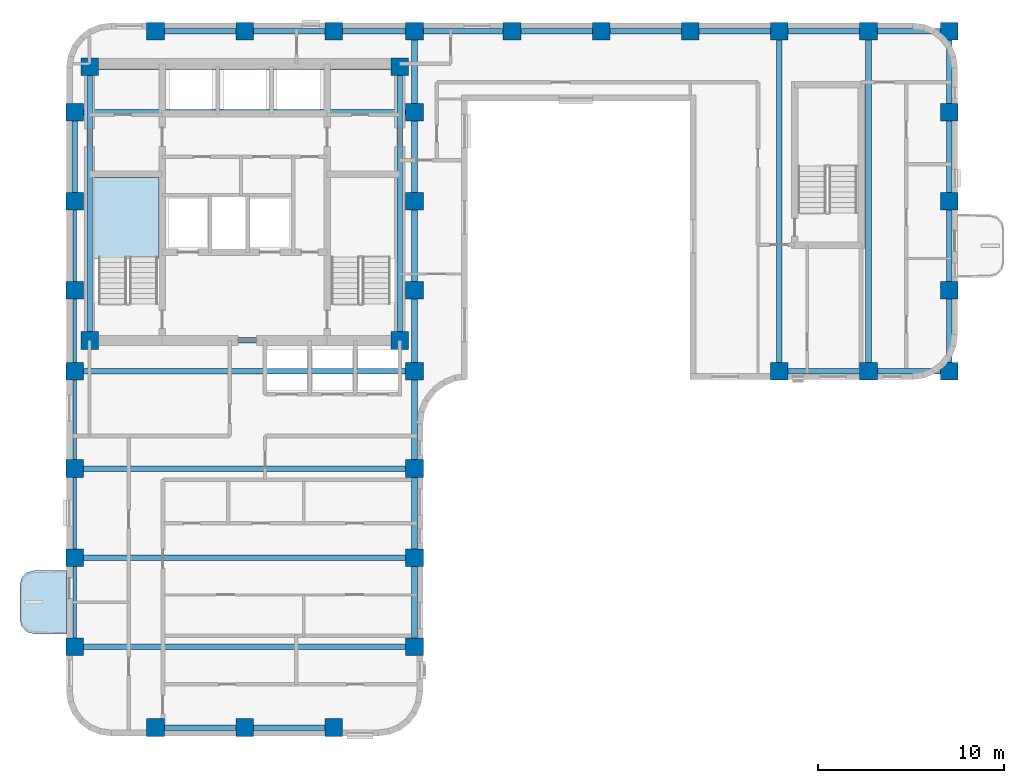
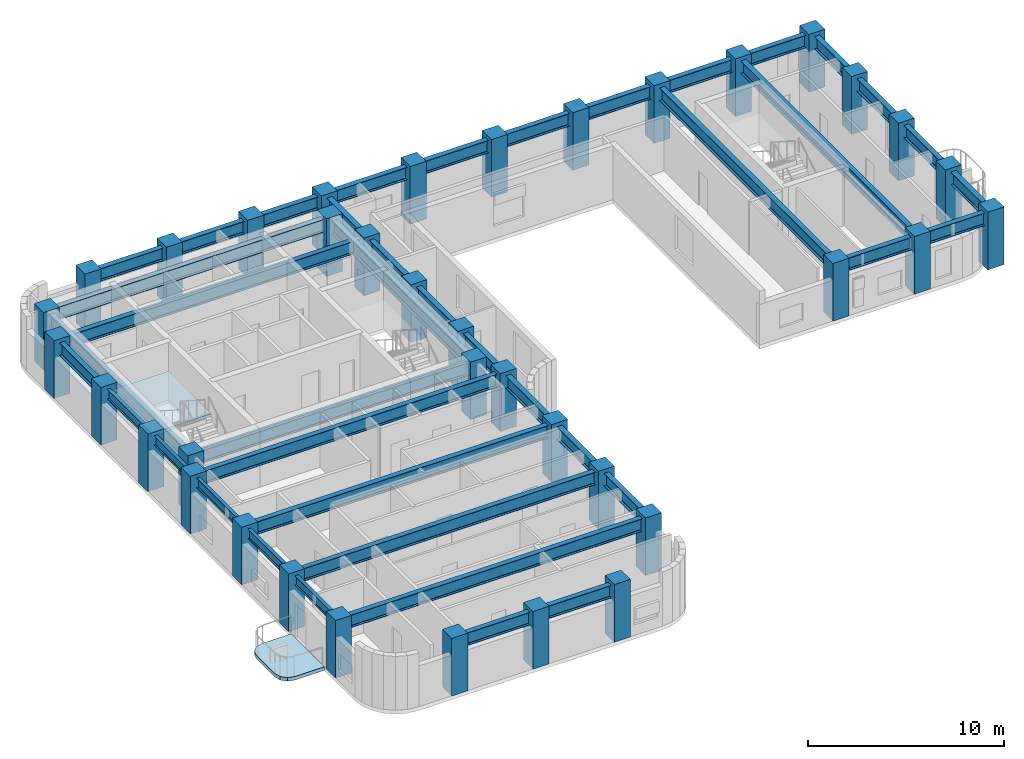
# One storey, part 1 of 9: 41 beams, 37 columns, 2 slabs, 1 element without a shape of its own.
"""IFC4 building model written with IfcOpenShell, lengths in metres."""

import ifcopenshell
import ifcopenshell.guid

model = None  # the IFC model being written
_history = None  # IfcOwnerHistory: only IFC2X3 demands one
_inside = {}  # id of a spatial element -> (the spatial element, [elements in it])
_under = {}  # id of a project, library or spatial element -> (it, [spatial elements below it])
_declared = {}  # id of a project -> (the project, [libraries it declares])
_typed = {}  # id of a type object -> (the type object, [elements of that type])
_made_of = {}  # id of a material, layer set ... -> (it, [elements and type objects made of it])


def new_model(schema):
    """Start an empty IFC model of exactly this schema.

    Asked for "IFC4X3", IfcOpenShell would pick the latest addendum, in which some entities
    have other attributes; the version numbers below select the first issue.
    IFC2X3 requires an IfcOwnerHistory on every rooted entity: one is made here for all.
    """
    global model, _history
    if schema == "IFC4X3":
        model = ifcopenshell.file(schema_version=(4, 3, 0, 0))
    else:
        model = ifcopenshell.file(schema=schema)
    _inside.clear()
    _under.clear()
    _declared.clear()
    _typed.clear()
    _made_of.clear()
    _history = None
    if model.schema == "IFC2X3":
        org = make("IfcOrganization", Name="unknown")
        user = make(
            "IfcPersonAndOrganization",
            ThePerson=make("IfcPerson", FamilyName="unknown"),
            TheOrganization=org,
        )
        app = make(
            "IfcApplication",
            ApplicationDeveloper=org,
            Version="unknown",
            ApplicationFullName="unknown",
            ApplicationIdentifier="unknown",
        )
        _history = make(
            "IfcOwnerHistory",
            OwningUser=user,
            OwningApplication=app,
            ChangeAction="ADDED",
            CreationDate=0,
        )
    return model


def make(cls, **values):
    """One entity of the class cls with the attributes given. An attribute that is None is left unset."""
    return model.create_entity(
        cls, **{name: value for name, value in values.items() if value is not None}
    )


def rooted(cls, **values):
    """An entity with a GlobalId (a new one), such as an element, a storey or a relation."""
    return make(cls, GlobalId=ifcopenshell.guid.new(), OwnerHistory=_history, **values)


def si_unit(unit_type, name, prefix=None):
    """IfcSIUnit, for example si_unit("LENGTHUNIT", "METRE", prefix="MILLI")."""
    return make("IfcSIUnit", UnitType=unit_type, Prefix=prefix, Name=name)


def assignment(units):
    """IfcUnitAssignment: the units of a project."""
    return None if units is None else make("IfcUnitAssignment", Units=units)


def point(xyz):
    """IfcCartesianPoint."""
    return None if xyz is None else make("IfcCartesianPoint", Coordinates=xyz)


def direction(xyz):
    """IfcDirection."""
    return None if xyz is None else make("IfcDirection", DirectionRatios=xyz)


def frame(location, z_axis=None, x_axis=None):
    """IfcAxis2Placement3D, a coordinate frame: its origin and axes. An axis left out is left unset."""
    return make(
        "IfcAxis2Placement3D",
        Location=point(location),
        Axis=direction(z_axis),
        RefDirection=direction(x_axis),
    )


def frame_2d(location, x_axis=None):
    """IfcAxis2Placement2D, a coordinate frame in the plane: its origin and x axis."""
    return make(
        "IfcAxis2Placement2D", Location=point(location), RefDirection=direction(x_axis)
    )


def origin():
    """The frame at (0, 0, 0) with its axes left unset."""
    return frame((0.0, 0.0, 0.0))


def origin_2d():
    """The frame at (0, 0) in the plane with its x axis left unset."""
    return frame_2d((0.0, 0.0))


def place(relative_to, where):
    """IfcLocalPlacement: puts the frame where relative to a parent placement (None: the world)."""
    return make(
        "IfcLocalPlacement", PlacementRelTo=relative_to, RelativePlacement=where
    )


def context(
    kind, dimensions, precision=None, world=None, true_north=None, identifier=None
):
    """IfcGeometricRepresentationContext, for example the 3D "Model" context."""
    return make(
        "IfcGeometricRepresentationContext",
        ContextIdentifier=identifier,
        ContextType=kind,
        CoordinateSpaceDimension=dimensions,
        Precision=precision,
        WorldCoordinateSystem=world,
        TrueNorth=true_north,
    )


def subcontext(parent, identifier, kind, view, scale=None):
    """IfcGeometricRepresentationSubContext, for example "Body" below "Model"."""
    return make(
        "IfcGeometricRepresentationSubContext",
        ContextIdentifier=identifier,
        ContextType=kind,
        ParentContext=parent,
        TargetScale=scale,
        TargetView=view,
    )


def project(units=None, contexts=None):
    """IfcProject with its units and contexts."""
    return rooted(
        "IfcProject",
        Name="project",
        RepresentationContexts=contexts,
        UnitsInContext=assignment(units),
    )


def spatial(cls, under=None, at=None, **own):
    """A site, building, storey or space (cls), placed at a placement, below another one or the project."""
    s = rooted(cls, ObjectPlacement=at, **own)
    if under is not None:
        _under.setdefault(under.id(), (under, []))[1].append(s)
    return s


def polyline(points):
    """IfcPolyline through the points."""
    return make("IfcPolyline", Points=[point(p) for p in points])


def profile(cls, at=None, kind="AREA", **sizes):
    """A parametric profile (cls). Its sizes go by their IFC names, for example OverallWidth=200.0."""
    return make(cls, ProfileType=kind, Position=at, **sizes)


def rectangle(**sizes):
    """IfcRectangleProfileDef."""
    return profile("IfcRectangleProfileDef", **sizes)


def i_section(**sizes):
    """IfcIShapeProfileDef."""
    return profile("IfcIShapeProfileDef", **sizes)


def outline(outer, holes=None, kind="AREA"):
    """IfcArbitraryClosedProfileDef: a profile drawn as a closed curve; with holes, ...WithVoids."""
    if holes is None:
        return make("IfcArbitraryClosedProfileDef", ProfileType=kind, OuterCurve=outer)
    return make(
        "IfcArbitraryProfileDefWithVoids",
        ProfileType=kind,
        OuterCurve=outer,
        InnerCurves=holes,
    )


def extrude(swept, where, along, depth):
    """IfcExtrudedAreaSolid: the profile swept, set in the frame where, extruded along a direction by depth."""
    return make(
        "IfcExtrudedAreaSolid",
        SweptArea=swept,
        Position=where,
        ExtrudedDirection=direction(along),
        Depth=depth,
    )


def shape(context_of_items, identifier, shape_type, items):
    """IfcShapeRepresentation: the items that make up one representation, for example the "Body"."""
    return make(
        "IfcShapeRepresentation",
        ContextOfItems=context_of_items,
        RepresentationIdentifier=identifier,
        RepresentationType=shape_type,
        Items=items,
    )


def material(Name=None, Category=None):
    """IfcMaterial."""
    return make("IfcMaterial", Name=Name, Category=Category)


def layer(
    of_material, thickness, ventilated=None, Name=None, Category=None, Priority=None
):
    """IfcMaterialLayer: one layer of a wall or slab, of a material (None: an air gap)."""
    return make(
        "IfcMaterialLayer",
        Material=of_material,
        LayerThickness=thickness,
        IsVentilated=ventilated,
        Name=Name,
        Category=Category,
        Priority=Priority,
    )


def layer_set(layers, Name=None):
    """IfcMaterialLayerSet."""
    return make("IfcMaterialLayerSet", MaterialLayers=layers, LayerSetName=Name)


def material_profile(
    of_material, cross_section, Name=None, Category=None, Priority=None
):
    """IfcMaterialProfile: a cross section and its material."""
    return make(
        "IfcMaterialProfile",
        Name=Name,
        Material=of_material,
        Profile=cross_section,
        Priority=Priority,
        Category=Category,
    )


def profile_set(profiles, Name=None, composite=None):
    """IfcMaterialProfileSet."""
    return make(
        "IfcMaterialProfileSet",
        Name=Name,
        MaterialProfiles=profiles,
        CompositeProfile=composite,
    )


def made_of(thing, what):
    """Note that an element or type object is made of a material, layer set ...; save() writes the relation."""
    if what is not None:
        _made_of.setdefault(what.id(), (what, []))[1].append(thing)
    return thing


def type_object(cls, material=None, **own):
    """A type object (cls), such as IfcWallType, which elements share."""
    return made_of(rooted(cls, **own), material)


def element(
    cls,
    number,
    at=None,
    inside=None,
    cuts=None,
    type_object=None,
    material=None,
    context=None,
    identifier="Body",
    shape_type=None,
    held_by="IfcProductDefinitionShape",
    body=None,
    shapes=None,
    **own,
):
    """One element of the class cls, such as IfcWall. Its Tag is "e" and its number.

    at: its placement. inside: the storey or other place that contains it. cuts: it is an
    opening in that element (IfcRelVoidsElement). A single representation is given by context,
    identifier, shape_type and body (its items); several are given by shapes. held_by: the class
    of the entity that holds the representations. save() writes the other relations.
    """
    e = rooted(cls, Tag="e%d" % number, ObjectPlacement=at, **own)
    if body is not None:
        shapes = [shape(context, identifier, shape_type, body)]
    if shapes is not None:
        e.Representation = make(held_by, Representations=shapes)
    if inside is not None:
        _inside.setdefault(inside.id(), (inside, []))[1].append(e)
    if cuts is not None:
        rooted(
            "IfcRelVoidsElement", RelatingBuildingElement=cuts, RelatedOpeningElement=e
        )
    if type_object is not None:
        _typed.setdefault(type_object.id(), (type_object, []))[1].append(e)
    return made_of(e, material)


def aggregate(whole, parts):
    """IfcRelAggregates: a whole, such as a stair, and the parts it consists of."""
    return rooted("IfcRelAggregates", RelatingObject=whole, RelatedObjects=parts)


def save(model, path):
    """Write the relations noted so far, then the file.

    IfcRelAggregates (storeys below a building ...), IfcRelContainedInSpatialStructure (elements
    in a storey), IfcRelDefinesByType, IfcRelAssociatesMaterial and IfcRelDeclares: one each for
    every whole, place, type object, material and project.
    """
    for whole, parts in _under.values():
        aggregate(whole, parts)
    for where, things in _inside.values():
        rooted(
            "IfcRelContainedInSpatialStructure",
            RelatedElements=things,
            RelatingStructure=where,
        )
    for kind, things in _typed.values():
        rooted("IfcRelDefinesByType", RelatedObjects=things, RelatingType=kind)
    for what, things in _made_of.values():
        rooted("IfcRelAssociatesMaterial", RelatedObjects=things, RelatingMaterial=what)
    for by, libraries in _declared.values():
        rooted("IfcRelDeclares", RelatingContext=by, RelatedDefinitions=libraries)
    model.write(path)


model = new_model("IFC4")

# Units and contexts
model_context = context("Model", 3, precision=1e-05, world=origin(), true_north=direction((0.0, 1.0)))
body_context = subcontext(model_context, "Body", "Model", "MODEL_VIEW")
ifc_project = project(units=[si_unit("LENGTHUNIT", "METRE"), si_unit("AREAUNIT", "SQUARE_METRE"), si_unit("VOLUMEUNIT", "CUBIC_METRE"), si_unit("PLANEANGLEUNIT", "RADIAN"), si_unit("MASSUNIT", "GRAM", prefix="KILO")], contexts=[model_context])

# Site, building, storey
site_placement = place(None, origin())
site = spatial("IfcSite", under=ifc_project, at=site_placement, CompositionType="ELEMENT")
building_placement = place(site_placement, origin())
building = spatial("IfcBuilding", under=site, at=building_placement, Name="Orvandelia Arch Residences", CompositionType="ELEMENT")
storey_placement = place(building_placement, frame((0.0, 0.0, 186.39990234375)))
storey = spatial("IfcBuildingStorey", under=building, at=storey_placement, Name="L49", CompositionType="ELEMENT", Elevation=186.39990234375)

# Columns
ifc_material_1 = material(Name="Concrete C60/75", Category="concrete")
ifc_material_profile_1 = material_profile(ifc_material_1, rectangle(XDim=0.949951171875, YDim=0.949951171875, at=origin_2d()), Name="Concrete C60/75", Category="concrete")
ifc_profile_set_1 = profile_set([ifc_material_profile_1], Name="Concrete C60/75")
column_type = type_object("IfcColumnType", Name="COL-TWR-950", PredefinedType="COLUMN", material=ifc_profile_set_1)
for number, where, z_axis, x_axis, name in (
    (1, (5.25, 14.39990234375, 0.0), (0.0, 0.0, 1.0), (1.0, 0.0, 0.0), "Structural Column L49-W-W-144"),
    (2, (5.25, 19.199951171875, 0.0), (0.0, 0.0, 1.0), (1.0, 0.0, 0.0), "Structural Column L49-W-W-192"),
    (3, (5.25, 24.0, 0.0), (0.0, 0.0, 1.0), (1.0, 0.0, 0.0), "Structural Column L49-W-W-240"),
    (4, (5.25, 29.25, 0.0), (0.0, 0.0, 1.0), (1.0, 0.0, 0.0), "Structural Column L49-W-W-292"),
    (5, (5.25, 33.60009765625, 0.0), (0.0, 0.0, 1.0), (1.0, 0.0, 0.0), "Structural Column L49-W-W-336"),
    (6, (5.25, 38.39990234375, 0.0), (0.0, 0.0, 1.0), (1.0, 0.0, 0.0), "Structural Column L49-W-W-384"),
    (7, (5.25, 43.199951171875, 0.0), (0.0, 0.0, 1.0), (1.0, 0.0, 0.0), "Structural Column L49-W-W-432"),
    (8, (6.050048828125, 30.89990234375, 0.0), (0.0, 0.0, 1.0), (1.0, 0.0, 0.0), "Structural Column L49-CR-SW"),
    (9, (6.050048828125, 45.64990234375, 0.0), (0.0, 0.0, 1.0), (1.0, 0.0, 0.0), "Structural Column L49-CR-NW"),
    (10, (9.60009765625, 10.050048828125, 0.0), (0.0, 0.0, 1.0), (1.0, 0.0, 0.0), "Structural Column L49-W-S-96"),
    (11, (9.60009765625, 47.550048828125, 0.0), (0.0, 0.0, 1.0), (1.0, 0.0, 0.0), "Structural Column L49-W-N-96"),
    (12, (14.39990234375, 10.050048828125, 0.0), (0.0, 0.0, 1.0), (1.0, 0.0, 0.0), "Structural Column L49-W-S-144"),
    (13, (14.39990234375, 47.550048828125, 0.0), (0.0, 0.0, 1.0), (1.0, 0.0, 0.0), "Structural Column L49-W-N-144"),
    (14, (19.199951171875, 10.050048828125, 0.0), (0.0, 0.0, 1.0), (1.0, 0.0, 0.0), "Structural Column L49-W-S-192"),
    (15, (19.199951171875, 47.550048828125, 0.0), (0.0, 0.0, 1.0), (1.0, 0.0, 0.0), "Structural Column L49-W-N-192"),
    (16, (22.75, 30.89990234375, 0.0), (0.0, 0.0, 1.0), (1.0, 0.0, 0.0), "Structural Column L49-CR-SE"),
    (17, (22.75, 45.64990234375, 0.0), (0.0, 0.0, 1.0), (1.0, 0.0, 0.0), "Structural Column L49-CR-NE"),
    (18, (23.550048828125, 14.39990234375, 0.0), (0.0, 0.0, 1.0), (1.0, 0.0, 0.0), "Structural Column L49-W-E-144"),
    (19, (23.550048828125, 19.199951171875, 0.0), (0.0, 0.0, 1.0), (1.0, 0.0, 0.0), "Structural Column L49-W-E-192"),
    (20, (23.550048828125, 24.0, 0.0), (0.0, 0.0, 1.0), (1.0, 0.0, 0.0), "Structural Column L49-W-E-240"),
    (21, (23.550048828125, 29.25, 0.0), (0.0, 0.0, 1.0), (1.0, 0.0, 0.0), "Structural Column L49-W-E-292"),
    (22, (23.550048828125, 33.60009765625, 0.0), (0.0, 0.0, 1.0), (1.0, 0.0, 0.0), "Structural Column L49-W-E-336"),
    (23, (23.550048828125, 38.39990234375, 0.0), (0.0, 0.0, 1.0), (1.0, 0.0, 0.0), "Structural Column L49-W-E-384"),
    (24, (23.550048828125, 43.199951171875, 0.0), (0.0, 0.0, 1.0), (1.0, 0.0, 0.0), "Structural Column L49-W-E-432"),
    (25, (23.550048828125, 47.550048828125, 0.0), (0.0, 0.0, 1.0), (1.0, 0.0, 0.0), "Structural Column L49-W-N-235"),
    (26, (28.800048828125, 47.550048828125, 0.0), (0.0, 0.0, 1.0), (1.0, 0.0, 0.0), "Structural Column L49-E-N-288"),
    (27, (33.60009765625, 47.550048828125, 0.0), (0.0, 0.0, 1.0), (1.0, 0.0, 0.0), "Structural Column L49-E-N-336"),
    (28, (38.39990234375, 47.550048828125, 0.0), (0.0, 0.0, 1.0), (1.0, 0.0, 0.0), "Structural Column L49-E-N-384"),
    (29, (43.199951171875, 29.25, 0.0), (0.0, 0.0, 1.0), (1.0, 0.0, 0.0), "Structural Column L49-E-S-432"),
    (30, (43.199951171875, 47.550048828125, 0.0), (0.0, 0.0, 1.0), (1.0, 0.0, 0.0), "Structural Column L49-E-N-432"),
    (31, (48.0, 29.25, 0.0), (0.0, 0.0, 1.0), (1.0, 0.0, 0.0), "Structural Column L49-E-S-480"),
    (32, (48.0, 47.550048828125, 0.0), (0.0, 0.0, 1.0), (1.0, 0.0, 0.0), "Structural Column L49-E-N-480"),
    (33, (52.35009765625, 29.25, 0.0), (0.0, 0.0, 1.0), (1.0, 0.0, 0.0), "Structural Column L49-E-S-523"),
    (34, (52.35009765625, 33.60009765625, 0.0), (0.0, 0.0, 1.0), (1.0, 0.0, 0.0), "Structural Column L49-E-523-336"),
    (35, (52.35009765625, 38.39990234375, 0.0), (0.0, 0.0, 1.0), (1.0, 0.0, 0.0), "Structural Column L49-E-523-384"),
    (36, (52.35009765625, 43.199951171875, 0.0), (0.0, 0.0, 1.0), (1.0, 0.0, 0.0), "Structural Column L49-E-523-432"),
    (37, (52.35009765625, 47.550048828125, 0.0), (0.0, 0.0, 1.0), (1.0, 0.0, 0.0), "Structural Column L49-E-N-523"),
):
    element("IfcColumn", number, at=place(storey_placement, frame(where, z_axis=z_axis, x_axis=x_axis)), inside=storey, type_object=column_type, Name=name, PredefinedType="COLUMN", context=body_context, shape_type="SweptSolid", body=[
        extrude(rectangle(XDim=0.949951171875, YDim=0.949951171875, at=origin_2d()), origin(), (0.0, 0.0, 1.0), 3.60009765625),
    ])

# Beams
ifc_material_2 = material(Name="Structural Steel SM355 (355 MPa)", Category="steel")
ifc_material_profile_2 = material_profile(ifc_material_2, i_section(OverallWidth=0.300048828125, OverallDepth=0.800048828125, WebThickness=0.013916015625, FlangeThickness=0.02587890625, FilletRadius=0.02587890625, at=origin_2d()), Name="Structural Steel SM355 (355 MPa)", Category="steel")
ifc_profile_set_2 = profile_set([ifc_material_profile_2], Name="Structural Steel SM355 (355 MPa)")
beam_type_1 = type_object("IfcBeamType", Name="BM-GRD-H800", PredefinedType="BEAM", material=ifc_profile_set_2)
beam_1_placement = place(storey_placement, frame((5.25, 38.39990234375, 2.960205078125), z_axis=(0.0, 1.0, 0.0), x_axis=(-1.0, 0.0, 0.0)))
element("IfcBeam", 38, at=beam_1_placement, inside=storey, type_object=beam_type_1, Name="Structural Frame Beam L49-NS-006", PredefinedType="BEAM", context=body_context, shape_type="SweptSolid", body=[
    extrude(i_section(OverallWidth=0.300048828125, OverallDepth=0.800048828125, WebThickness=0.013916015625, FlangeThickness=0.02587890625, FilletRadius=0.02587890625, at=origin_2d()), origin(), (0.0, 0.0, 1.0), 4.800048828125),
])
for number, where, z_axis, x_axis, name in (
    (39, (6.050048828125, 30.89990234375, 2.960205078125), (0.0, 1.0, 0.0), (-1.0, 0.0, 0.0), "Structural Frame Beam L49-NS-007"),
    (40, (22.75, 30.89990234375, 2.960205078125), (0.0, 1.0, 0.0), (-1.0, 0.0, 0.0), "Structural Frame Beam L49-NS-008"),
):
    element("IfcBeam", number, at=place(storey_placement, frame(where, z_axis=z_axis, x_axis=x_axis)), inside=storey, type_object=beam_type_1, Name=name, PredefinedType="BEAM", context=body_context, shape_type="SweptSolid", body=[
        extrude(i_section(OverallWidth=0.300048828125, OverallDepth=0.800048828125, WebThickness=0.013916015625, FlangeThickness=0.02587890625, FilletRadius=0.02587890625, at=origin_2d()), origin(), (0.0, 0.0, 1.0), 14.75),
    ])
for number, where, z_axis, x_axis, name in (
    (41, (23.550048828125, 14.39990234375, 2.960205078125), (0.0, 1.0, 0.0), (-1.0, 0.0, 0.0), "Structural Frame Beam L49-NS-009"),
    (42, (23.550048828125, 19.199951171875, 2.960205078125), (0.0, 1.0, 0.0), (-1.0, 0.0, 0.0), "Structural Frame Beam L49-NS-010"),
):
    element("IfcBeam", number, at=place(storey_placement, frame(where, z_axis=z_axis, x_axis=x_axis)), inside=storey, type_object=beam_type_1, Name=name, PredefinedType="BEAM", context=body_context, shape_type="SweptSolid", body=[
        extrude(i_section(OverallWidth=0.300048828125, OverallDepth=0.800048828125, WebThickness=0.013916015625, FlangeThickness=0.02587890625, FilletRadius=0.02587890625, at=origin_2d()), origin(), (0.0, 0.0, 1.0), 4.800048828125),
    ])
beam_2_placement = place(storey_placement, frame((23.550048828125, 24.0, 2.960205078125), z_axis=(0.0, 1.0, 0.0), x_axis=(-1.0, 0.0, 0.0)))
element("IfcBeam", 43, at=beam_2_placement, inside=storey, type_object=beam_type_1, Name="Structural Frame Beam L49-NS-011", PredefinedType="BEAM", context=body_context, shape_type="SweptSolid", body=[
    extrude(i_section(OverallWidth=0.300048828125, OverallDepth=0.800048828125, WebThickness=0.013916015625, FlangeThickness=0.02587890625, FilletRadius=0.02587890625, at=origin_2d()), origin(), (0.0, 0.0, 1.0), 5.25),
])
beam_3_placement = place(storey_placement, frame((23.550048828125, 29.25, 2.960205078125), z_axis=(0.0, 1.0, 0.0), x_axis=(-1.0, 0.0, 0.0)))
element("IfcBeam", 44, at=beam_3_placement, inside=storey, type_object=beam_type_1, Name="Structural Frame Beam L49-NS-012", PredefinedType="BEAM", context=body_context, shape_type="SweptSolid", body=[
    extrude(i_section(OverallWidth=0.300048828125, OverallDepth=0.800048828125, WebThickness=0.013916015625, FlangeThickness=0.02587890625, FilletRadius=0.02587890625, at=origin_2d()), origin(), (0.0, 0.0, 1.0), 4.35009765625),
])
beam_4_placement = place(storey_placement, frame((23.550048828125, 33.60009765625, 2.960205078125), z_axis=(0.0, 1.0, 0.0), x_axis=(-1.0, 0.0, 0.0)))
element("IfcBeam", 45, at=beam_4_placement, inside=storey, type_object=beam_type_1, Name="Structural Frame Beam L49-NS-013", PredefinedType="BEAM", context=body_context, shape_type="SweptSolid", body=[
    extrude(i_section(OverallWidth=0.300048828125, OverallDepth=0.800048828125, WebThickness=0.013916015625, FlangeThickness=0.02587890625, FilletRadius=0.02587890625, at=origin_2d()), origin(), (0.0, 0.0, 1.0), 4.7998046875),
])
beam_5_placement = place(storey_placement, frame((23.550048828125, 38.39990234375, 2.960205078125), z_axis=(0.0, 1.0, 0.0), x_axis=(-1.0, 0.0, 0.0)))
element("IfcBeam", 46, at=beam_5_placement, inside=storey, type_object=beam_type_1, Name="Structural Frame Beam L49-NS-014", PredefinedType="BEAM", context=body_context, shape_type="SweptSolid", body=[
    extrude(i_section(OverallWidth=0.300048828125, OverallDepth=0.800048828125, WebThickness=0.013916015625, FlangeThickness=0.02587890625, FilletRadius=0.02587890625, at=origin_2d()), origin(), (0.0, 0.0, 1.0), 4.800048828125),
])
beam_6_placement = place(storey_placement, frame((23.550048828125, 43.199951171875, 2.960205078125), z_axis=(0.0, 1.0, 0.0), x_axis=(-1.0, 0.0, 0.0)))
element("IfcBeam", 47, at=beam_6_placement, inside=storey, type_object=beam_type_1, Name="Structural Frame Beam L49-NS-015", PredefinedType="BEAM", context=body_context, shape_type="SweptSolid", body=[
    extrude(i_section(OverallWidth=0.300048828125, OverallDepth=0.800048828125, WebThickness=0.013916015625, FlangeThickness=0.02587890625, FilletRadius=0.02587890625, at=origin_2d()), origin(), (0.0, 0.0, 1.0), 4.35009765625),
])
for number, where, z_axis, x_axis, name in (
    (48, (43.199951171875, 29.25, 2.960205078125), (0.0, 1.0, 0.0), (-1.0, 0.0, 0.0), "Structural Frame Beam L49-NS-016"),
    (49, (48.0, 29.25, 2.960205078125), (0.0, 1.0, 0.0), (-1.0, 0.0, 0.0), "Structural Frame Beam L49-NS-017"),
):
    element("IfcBeam", number, at=place(storey_placement, frame(where, z_axis=z_axis, x_axis=x_axis)), inside=storey, type_object=beam_type_1, Name=name, PredefinedType="BEAM", context=body_context, shape_type="SweptSolid", body=[
        extrude(i_section(OverallWidth=0.300048828125, OverallDepth=0.800048828125, WebThickness=0.013916015625, FlangeThickness=0.02587890625, FilletRadius=0.02587890625, at=origin_2d()), origin(), (0.0, 0.0, 1.0), 18.300048828125),
    ])
beam_7_placement = place(storey_placement, frame((52.35009765625, 29.25, 2.960205078125), z_axis=(0.0, 1.0, 0.0), x_axis=(-1.0, 0.0, 0.0)))
element("IfcBeam", 50, at=beam_7_placement, inside=storey, type_object=beam_type_1, Name="Structural Frame Beam L49-NS-018", PredefinedType="BEAM", context=body_context, shape_type="SweptSolid", body=[
    extrude(i_section(OverallWidth=0.300048828125, OverallDepth=0.800048828125, WebThickness=0.013916015625, FlangeThickness=0.02587890625, FilletRadius=0.02587890625, at=origin_2d()), origin(), (0.0, 0.0, 1.0), 4.35009765625),
])
beam_8_placement = place(storey_placement, frame((52.35009765625, 33.60009765625, 2.960205078125), z_axis=(0.0, 1.0, 0.0), x_axis=(-1.0, 0.0, 0.0)))
element("IfcBeam", 51, at=beam_8_placement, inside=storey, type_object=beam_type_1, Name="Structural Frame Beam L49-NS-019", PredefinedType="BEAM", context=body_context, shape_type="SweptSolid", body=[
    extrude(i_section(OverallWidth=0.300048828125, OverallDepth=0.800048828125, WebThickness=0.013916015625, FlangeThickness=0.02587890625, FilletRadius=0.02587890625, at=origin_2d()), origin(), (0.0, 0.0, 1.0), 4.7998046875),
])
beam_9_placement = place(storey_placement, frame((52.35009765625, 38.39990234375, 2.960205078125), z_axis=(0.0, 1.0, 0.0), x_axis=(-1.0, 0.0, 0.0)))
element("IfcBeam", 52, at=beam_9_placement, inside=storey, type_object=beam_type_1, Name="Structural Frame Beam L49-NS-020", PredefinedType="BEAM", context=body_context, shape_type="SweptSolid", body=[
    extrude(i_section(OverallWidth=0.300048828125, OverallDepth=0.800048828125, WebThickness=0.013916015625, FlangeThickness=0.02587890625, FilletRadius=0.02587890625, at=origin_2d()), origin(), (0.0, 0.0, 1.0), 4.800048828125),
])
beam_10_placement = place(storey_placement, frame((52.35009765625, 43.199951171875, 2.960205078125), z_axis=(0.0, 1.0, 0.0), x_axis=(-1.0, 0.0, 0.0)))
element("IfcBeam", 53, at=beam_10_placement, inside=storey, type_object=beam_type_1, Name="Structural Frame Beam L49-NS-021", PredefinedType="BEAM", context=body_context, shape_type="SweptSolid", body=[
    extrude(i_section(OverallWidth=0.300048828125, OverallDepth=0.800048828125, WebThickness=0.013916015625, FlangeThickness=0.02587890625, FilletRadius=0.02587890625, at=origin_2d()), origin(), (0.0, 0.0, 1.0), 4.35009765625),
])
beam_11_placement = place(storey_placement, frame((9.60009765625, 10.050048828125, 2.960205078125), z_axis=(1.0, 0.0, 0.0), x_axis=(0.0, 1.0, 0.0)))
element("IfcBeam", 54, at=beam_11_placement, inside=storey, type_object=beam_type_1, Name="Structural Frame Girder L49-EW-022", PredefinedType="BEAM", context=body_context, shape_type="SweptSolid", body=[
    extrude(i_section(OverallWidth=0.300048828125, OverallDepth=0.800048828125, WebThickness=0.013916015625, FlangeThickness=0.02587890625, FilletRadius=0.02587890625, at=origin_2d()), origin(), (0.0, 0.0, 1.0), 4.7998046875),
])
beam_12_placement = place(storey_placement, frame((14.39990234375, 10.050048828125, 2.960205078125), z_axis=(1.0, 0.0, 0.0), x_axis=(0.0, 1.0, 0.0)))
element("IfcBeam", 55, at=beam_12_placement, inside=storey, type_object=beam_type_1, Name="Structural Frame Girder L49-EW-023", PredefinedType="BEAM", context=body_context, shape_type="SweptSolid", body=[
    extrude(i_section(OverallWidth=0.300048828125, OverallDepth=0.800048828125, WebThickness=0.013916015625, FlangeThickness=0.02587890625, FilletRadius=0.02587890625, at=origin_2d()), origin(), (0.0, 0.0, 1.0), 4.800048828125),
])
for number, where, z_axis, x_axis, name in (
    (56, (5.25, 14.39990234375, 2.960205078125), (1.0, 0.0, 0.0), (0.0, 1.0, 0.0), "Structural Frame Girder L49-EW-024"),
    (57, (5.25, 19.199951171875, 2.960205078125), (1.0, 0.0, 0.0), (0.0, 1.0, 0.0), "Structural Frame Girder L49-EW-025"),
    (58, (5.25, 24.0, 2.960205078125), (1.0, 0.0, 0.0), (0.0, 1.0, 0.0), "Structural Frame Girder L49-EW-026"),
    (59, (5.25, 29.25, 2.960205078125), (1.0, 0.0, 0.0), (0.0, 1.0, 0.0), "Structural Frame Girder L49-EW-027"),
):
    element("IfcBeam", number, at=place(storey_placement, frame(where, z_axis=z_axis, x_axis=x_axis)), inside=storey, type_object=beam_type_1, Name=name, PredefinedType="BEAM", context=body_context, shape_type="SweptSolid", body=[
        extrude(i_section(OverallWidth=0.300048828125, OverallDepth=0.800048828125, WebThickness=0.013916015625, FlangeThickness=0.02587890625, FilletRadius=0.02587890625, at=origin_2d()), origin(), (0.0, 0.0, 1.0), 18.300048828125),
    ])
beam_13_placement = place(storey_placement, frame((43.199951171875, 29.25, 2.960205078125), z_axis=(1.0, 0.0, 0.0), x_axis=(0.0, 1.0, 0.0)))
element("IfcBeam", 60, at=beam_13_placement, inside=storey, type_object=beam_type_1, Name="Structural Frame Girder L49-EW-028", PredefinedType="BEAM", context=body_context, shape_type="SweptSolid", body=[
    extrude(i_section(OverallWidth=0.300048828125, OverallDepth=0.800048828125, WebThickness=0.013916015625, FlangeThickness=0.02587890625, FilletRadius=0.02587890625, at=origin_2d()), origin(), (0.0, 0.0, 1.0), 4.800048828125),
])
beam_14_placement = place(storey_placement, frame((48.0, 29.25, 2.960205078125), z_axis=(1.0, 0.0, 0.0), x_axis=(0.0, 1.0, 0.0)))
element("IfcBeam", 61, at=beam_14_placement, inside=storey, type_object=beam_type_1, Name="Structural Frame Girder L49-EW-029", PredefinedType="BEAM", context=body_context, shape_type="SweptSolid", body=[
    extrude(i_section(OverallWidth=0.300048828125, OverallDepth=0.800048828125, WebThickness=0.013916015625, FlangeThickness=0.02587890625, FilletRadius=0.02587890625, at=origin_2d()), origin(), (0.0, 0.0, 1.0), 4.35009765625),
])
beam_15_placement = place(storey_placement, frame((6.050048828125, 30.89990234375, 2.960205078125), z_axis=(1.0, 0.0, 0.0), x_axis=(0.0, 1.0, 0.0)))
element("IfcBeam", 62, at=beam_15_placement, inside=storey, type_object=beam_type_1, Name="Structural Frame Girder L49-EW-030", PredefinedType="BEAM", context=body_context, shape_type="SweptSolid", body=[
    extrude(i_section(OverallWidth=0.300048828125, OverallDepth=0.800048828125, WebThickness=0.013916015625, FlangeThickness=0.02587890625, FilletRadius=0.02587890625, at=origin_2d()), origin(), (0.0, 0.0, 1.0), 16.699951171875),
])
beam_16_placement = place(storey_placement, frame((5.25, 43.199951171875, 2.960205078125), z_axis=(1.0, 0.0, 0.0), x_axis=(0.0, 1.0, 0.0)))
element("IfcBeam", 63, at=beam_16_placement, inside=storey, type_object=beam_type_1, Name="Structural Frame Girder L49-EW-033", PredefinedType="BEAM", context=body_context, shape_type="SweptSolid", body=[
    extrude(i_section(OverallWidth=0.300048828125, OverallDepth=0.800048828125, WebThickness=0.013916015625, FlangeThickness=0.02587890625, FilletRadius=0.02587890625, at=origin_2d()), origin(), (0.0, 0.0, 1.0), 18.300048828125),
])
beam_17_placement = place(storey_placement, frame((6.050048828125, 45.64990234375, 2.960205078125), z_axis=(1.0, 0.0, 0.0), x_axis=(0.0, 1.0, 0.0)))
element("IfcBeam", 64, at=beam_17_placement, inside=storey, type_object=beam_type_1, Name="Structural Frame Girder L49-EW-034", PredefinedType="BEAM", context=body_context, shape_type="SweptSolid", body=[
    extrude(i_section(OverallWidth=0.300048828125, OverallDepth=0.800048828125, WebThickness=0.013916015625, FlangeThickness=0.02587890625, FilletRadius=0.02587890625, at=origin_2d()), origin(), (0.0, 0.0, 1.0), 16.699951171875),
])
beam_18_placement = place(storey_placement, frame((9.60009765625, 47.550048828125, 2.960205078125), z_axis=(1.0, 0.0, 0.0), x_axis=(0.0, 1.0, 0.0)))
element("IfcBeam", 65, at=beam_18_placement, inside=storey, type_object=beam_type_1, Name="Structural Frame Girder L49-EW-035", PredefinedType="BEAM", context=body_context, shape_type="SweptSolid", body=[
    extrude(i_section(OverallWidth=0.300048828125, OverallDepth=0.800048828125, WebThickness=0.013916015625, FlangeThickness=0.02587890625, FilletRadius=0.02587890625, at=origin_2d()), origin(), (0.0, 0.0, 1.0), 4.7998046875),
])
beam_19_placement = place(storey_placement, frame((14.39990234375, 47.550048828125, 2.960205078125), z_axis=(1.0, 0.0, 0.0), x_axis=(0.0, 1.0, 0.0)))
element("IfcBeam", 66, at=beam_19_placement, inside=storey, type_object=beam_type_1, Name="Structural Frame Girder L49-EW-036", PredefinedType="BEAM", context=body_context, shape_type="SweptSolid", body=[
    extrude(i_section(OverallWidth=0.300048828125, OverallDepth=0.800048828125, WebThickness=0.013916015625, FlangeThickness=0.02587890625, FilletRadius=0.02587890625, at=origin_2d()), origin(), (0.0, 0.0, 1.0), 4.800048828125),
])
beam_20_placement = place(storey_placement, frame((19.199951171875, 47.550048828125, 2.960205078125), z_axis=(1.0, 0.0, 0.0), x_axis=(0.0, 1.0, 0.0)))
element("IfcBeam", 67, at=beam_20_placement, inside=storey, type_object=beam_type_1, Name="Structural Frame Girder L49-EW-037", PredefinedType="BEAM", context=body_context, shape_type="SweptSolid", body=[
    extrude(i_section(OverallWidth=0.300048828125, OverallDepth=0.800048828125, WebThickness=0.013916015625, FlangeThickness=0.02587890625, FilletRadius=0.02587890625, at=origin_2d()), origin(), (0.0, 0.0, 1.0), 4.35009765625),
])
beam_21_placement = place(storey_placement, frame((23.550048828125, 47.550048828125, 2.960205078125), z_axis=(1.0, 0.0, 0.0), x_axis=(0.0, 1.0, 0.0)))
element("IfcBeam", 68, at=beam_21_placement, inside=storey, type_object=beam_type_1, Name="Structural Frame Girder L49-EW-038", PredefinedType="BEAM", context=body_context, shape_type="SweptSolid", body=[
    extrude(i_section(OverallWidth=0.300048828125, OverallDepth=0.800048828125, WebThickness=0.013916015625, FlangeThickness=0.02587890625, FilletRadius=0.02587890625, at=origin_2d()), origin(), (0.0, 0.0, 1.0), 5.25),
])
beam_22_placement = place(storey_placement, frame((28.800048828125, 47.550048828125, 2.960205078125), z_axis=(1.0, 0.0, 0.0), x_axis=(0.0, 1.0, 0.0)))
element("IfcBeam", 69, at=beam_22_placement, inside=storey, type_object=beam_type_1, Name="Structural Frame Girder L49-EW-039", PredefinedType="BEAM", context=body_context, shape_type="SweptSolid", body=[
    extrude(i_section(OverallWidth=0.300048828125, OverallDepth=0.800048828125, WebThickness=0.013916015625, FlangeThickness=0.02587890625, FilletRadius=0.02587890625, at=origin_2d()), origin(), (0.0, 0.0, 1.0), 4.800048828125),
])
beam_23_placement = place(storey_placement, frame((33.60009765625, 47.550048828125, 2.960205078125), z_axis=(1.0, 0.0, 0.0), x_axis=(0.0, 1.0, 0.0)))
element("IfcBeam", 70, at=beam_23_placement, inside=storey, type_object=beam_type_1, Name="Structural Frame Girder L49-EW-040", PredefinedType="BEAM", context=body_context, shape_type="SweptSolid", body=[
    extrude(i_section(OverallWidth=0.300048828125, OverallDepth=0.800048828125, WebThickness=0.013916015625, FlangeThickness=0.02587890625, FilletRadius=0.02587890625, at=origin_2d()), origin(), (0.0, 0.0, 1.0), 4.7998046875),
])
for number, where, z_axis, x_axis, name in (
    (71, (38.39990234375, 47.550048828125, 2.960205078125), (1.0, 0.0, 0.0), (0.0, 1.0, 0.0), "Structural Frame Girder L49-EW-041"),
    (72, (43.199951171875, 47.550048828125, 2.960205078125), (1.0, 0.0, 0.0), (0.0, 1.0, 0.0), "Structural Frame Girder L49-EW-042"),
):
    element("IfcBeam", number, at=place(storey_placement, frame(where, z_axis=z_axis, x_axis=x_axis)), inside=storey, type_object=beam_type_1, Name=name, PredefinedType="BEAM", context=body_context, shape_type="SweptSolid", body=[
        extrude(i_section(OverallWidth=0.300048828125, OverallDepth=0.800048828125, WebThickness=0.013916015625, FlangeThickness=0.02587890625, FilletRadius=0.02587890625, at=origin_2d()), origin(), (0.0, 0.0, 1.0), 4.800048828125),
    ])
beam_24_placement = place(storey_placement, frame((48.0, 47.550048828125, 2.960205078125), z_axis=(1.0, 0.0, 0.0), x_axis=(0.0, 1.0, 0.0)))
element("IfcBeam", 73, at=beam_24_placement, inside=storey, type_object=beam_type_1, Name="Structural Frame Girder L49-EW-043", PredefinedType="BEAM", context=body_context, shape_type="SweptSolid", body=[
    extrude(i_section(OverallWidth=0.300048828125, OverallDepth=0.800048828125, WebThickness=0.013916015625, FlangeThickness=0.02587890625, FilletRadius=0.02587890625, at=origin_2d()), origin(), (0.0, 0.0, 1.0), 4.35009765625),
])
ifc_material_profile_3 = material_profile(ifc_material_2, i_section(OverallWidth=0.199951171875, OverallDepth=0.60009765625, WebThickness=0.010986328125, FlangeThickness=0.01708984375, FilletRadius=0.02197265625, at=origin_2d()), Name="Structural Steel SM355 (355 MPa)", Category="steel")
ifc_profile_set_3 = profile_set([ifc_material_profile_3], Name="Structural Steel SM355 (355 MPa)")
beam_type_2 = type_object("IfcBeamType", Name="BM-SPN-H600", PredefinedType="SPANDREL", material=ifc_profile_set_3)
for number, where, z_axis, x_axis, name in (
    (74, (5.25, 14.39990234375, 3.06005859375), (0.0, 1.0, 0.0), (-1.0, 0.0, 0.0), "Structural Frame Beam L49-NS-001"),
    (75, (5.25, 19.199951171875, 3.06005859375), (0.0, 1.0, 0.0), (-1.0, 0.0, 0.0), "Structural Frame Beam L49-NS-002"),
):
    element("IfcBeam", number, at=place(storey_placement, frame(where, z_axis=z_axis, x_axis=x_axis)), inside=storey, type_object=beam_type_2, Name=name, PredefinedType="SPANDREL", context=body_context, shape_type="SweptSolid", body=[
        extrude(i_section(OverallWidth=0.199951171875, OverallDepth=0.60009765625, WebThickness=0.010986328125, FlangeThickness=0.01708984375, FilletRadius=0.02197265625, at=origin_2d()), origin(), (0.0, 0.0, 1.0), 4.800048828125),
    ])
beam_25_placement = place(storey_placement, frame((5.25, 24.0, 3.06005859375), z_axis=(0.0, 1.0, 0.0), x_axis=(-1.0, 0.0, 0.0)))
element("IfcBeam", 76, at=beam_25_placement, inside=storey, type_object=beam_type_2, Name="Structural Frame Beam L49-NS-003", PredefinedType="SPANDREL", context=body_context, shape_type="SweptSolid", body=[
    extrude(i_section(OverallWidth=0.199951171875, OverallDepth=0.60009765625, WebThickness=0.010986328125, FlangeThickness=0.01708984375, FilletRadius=0.02197265625, at=origin_2d()), origin(), (0.0, 0.0, 1.0), 5.25),
])
beam_26_placement = place(storey_placement, frame((5.25, 29.25, 3.06005859375), z_axis=(0.0, 1.0, 0.0), x_axis=(-1.0, 0.0, 0.0)))
element("IfcBeam", 77, at=beam_26_placement, inside=storey, type_object=beam_type_2, Name="Structural Frame Beam L49-NS-004", PredefinedType="SPANDREL", context=body_context, shape_type="SweptSolid", body=[
    extrude(i_section(OverallWidth=0.199951171875, OverallDepth=0.60009765625, WebThickness=0.010986328125, FlangeThickness=0.01708984375, FilletRadius=0.02197265625, at=origin_2d()), origin(), (0.0, 0.0, 1.0), 4.35009765625),
])
beam_27_placement = place(storey_placement, frame((5.25, 33.60009765625, 3.06005859375), z_axis=(0.0, 1.0, 0.0), x_axis=(-1.0, 0.0, 0.0)))
element("IfcBeam", 78, at=beam_27_placement, inside=storey, type_object=beam_type_2, Name="Structural Frame Beam L49-NS-005", PredefinedType="SPANDREL", context=body_context, shape_type="SweptSolid", body=[
    extrude(i_section(OverallWidth=0.199951171875, OverallDepth=0.60009765625, WebThickness=0.010986328125, FlangeThickness=0.01708984375, FilletRadius=0.02197265625, at=origin_2d()), origin(), (0.0, 0.0, 1.0), 4.7998046875),
])

# Slab
ifc_material_3 = material(Name="Precast concrete C40/50", Category="concrete")
ifc_layer_1 = layer(ifc_material_3, 0.219970703125, Name="Precast concrete C40/50", Category="concrete")
ifc_layer_set_1 = layer_set([ifc_layer_1], Name="Precast concrete C40/50")
slab_type_1 = type_object("IfcSlabType", Name="SLB-BAL-220", PredefinedType="USERDEFINED", material=ifc_layer_set_1)
slab_1_placement = place(storey_placement, frame((0.0, 0.0, -0.219970703125)))
element("IfcSlab", 79, at=slab_1_placement, inside=storey, type_object=slab_type_1, Name="Tree Balcony Cantilever Slab BAL-L49-W1", ObjectType="BALCONY", PredefinedType="USERDEFINED", context=body_context, shape_type="SweptSolid", body=[
    extrude(outline(polyline([(4.800048828125, 15.10009765625), (4.800048828125, 18.5), (3.050048828125, 18.5), (2.675048828125, 18.3994140625), (2.400390625, 18.125), (2.300048828125, 17.75), (2.300048828125, 15.85009765625), (2.400390625, 15.47509765625), (2.675048828125, 15.200439453125), (3.050048828125, 15.10009765625), (4.800048828125, 15.10009765625)])), origin(), (0.0, 0.0, 1.0), 0.219970703125),
])

# Stair, slab
ifc_material_4 = material(Name="Concrete C40/50", Category="concrete")
stair_type = type_object("IfcStairType", Name="STAIR-RC-DOGLEG", PredefinedType="HALF_TURN_STAIR", material=ifc_material_4)
stair_placement = place(storey_placement, origin())
stair = element("IfcStair", 80, at=stair_placement, inside=storey, type_object=stair_type, Name="L49 Protected Exit Stair ST-1", PredefinedType="HALF_TURN_STAIR")
ifc_layer_2 = layer(ifc_material_4, 0.219970703125, Name="Concrete C40/50", Category="concrete")
ifc_layer_set_2 = layer_set([ifc_layer_2], Name="Concrete C40/50")
slab_type_2 = type_object("IfcSlabType", Name="SLB-LANDING-220", PredefinedType="LANDING", material=ifc_layer_set_2)
slab_2_placement = place(storey_placement, frame((0.0, 0.0, 1.60009765625)))
slab_2 = element("IfcSlab", 81, at=slab_2_placement, type_object=slab_type_2, Name="ST-1 landing 1", PredefinedType="LANDING", context=body_context, shape_type="SweptSolid", body=[
    extrude(outline(polyline([(9.800048828125, 35.31005859375), (9.800048828125, 39.68994140625), (6.260009765625, 39.68994140625), (6.260009765625, 35.31005859375), (9.800048828125, 35.31005859375)])), origin(), (0.0, 0.0, 1.0), 0.199951171875),
])
aggregate(stair, [slab_2])

save(model, "model.ifc")
